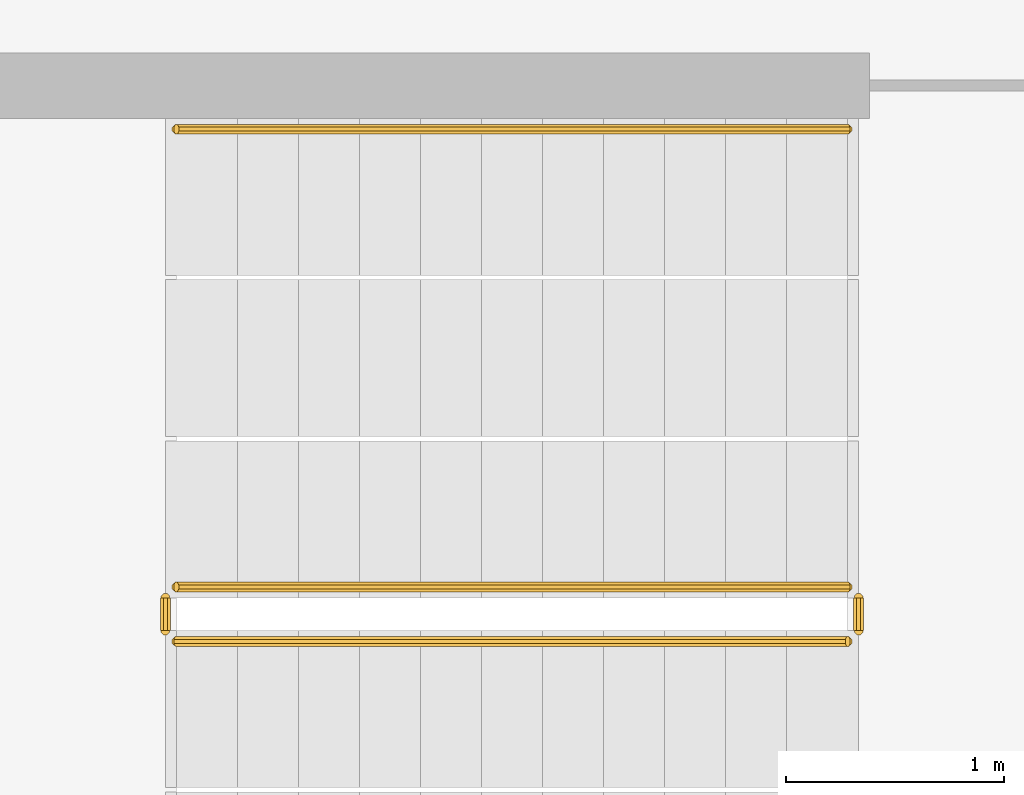
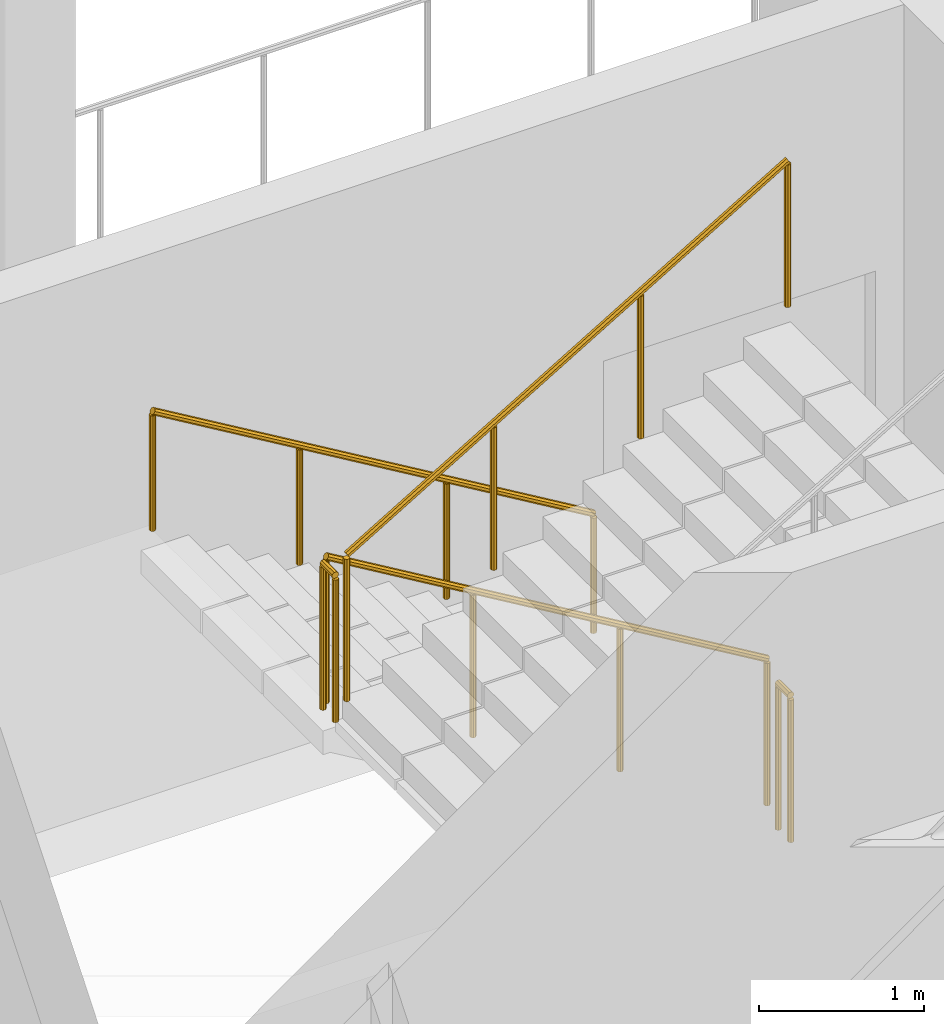
# One storey, part 20 of 28: 5 railings.
"""IFC4 building model written with IfcOpenShell, lengths in metres."""

import ifcopenshell
import ifcopenshell.guid

model = None  # the IFC model being written
_history = None  # IfcOwnerHistory: only IFC2X3 demands one
_inside = {}  # id of a spatial element -> (the spatial element, [elements in it])
_under = {}  # id of a project, library or spatial element -> (it, [spatial elements below it])
_declared = {}  # id of a project -> (the project, [libraries it declares])
_typed = {}  # id of a type object -> (the type object, [elements of that type])
_made_of = {}  # id of a material, layer set ... -> (it, [elements and type objects made of it])


def new_model(schema):
    """Start an empty IFC model of exactly this schema.

    Asked for "IFC4X3", IfcOpenShell would pick the latest addendum, in which some entities
    have other attributes; the version numbers below select the first issue.
    IFC2X3 requires an IfcOwnerHistory on every rooted entity: one is made here for all.
    """
    global model, _history
    if schema == "IFC4X3":
        model = ifcopenshell.file(schema_version=(4, 3, 0, 0))
    else:
        model = ifcopenshell.file(schema=schema)
    _inside.clear()
    _under.clear()
    _declared.clear()
    _typed.clear()
    _made_of.clear()
    _history = None
    if model.schema == "IFC2X3":
        org = make("IfcOrganization", Name="unknown")
        user = make(
            "IfcPersonAndOrganization",
            ThePerson=make("IfcPerson", FamilyName="unknown"),
            TheOrganization=org,
        )
        app = make(
            "IfcApplication",
            ApplicationDeveloper=org,
            Version="unknown",
            ApplicationFullName="unknown",
            ApplicationIdentifier="unknown",
        )
        _history = make(
            "IfcOwnerHistory",
            OwningUser=user,
            OwningApplication=app,
            ChangeAction="ADDED",
            CreationDate=0,
        )
    return model


def make(cls, **values):
    """One entity of the class cls with the attributes given. An attribute that is None is left unset."""
    return model.create_entity(
        cls, **{name: value for name, value in values.items() if value is not None}
    )


def rooted(cls, **values):
    """An entity with a GlobalId (a new one), such as an element, a storey or a relation."""
    return make(cls, GlobalId=ifcopenshell.guid.new(), OwnerHistory=_history, **values)


def si_unit(unit_type, name, prefix=None):
    """IfcSIUnit, for example si_unit("LENGTHUNIT", "METRE", prefix="MILLI")."""
    return make("IfcSIUnit", UnitType=unit_type, Prefix=prefix, Name=name)


def assignment(units):
    """IfcUnitAssignment: the units of a project."""
    return None if units is None else make("IfcUnitAssignment", Units=units)


def point(xyz):
    """IfcCartesianPoint."""
    return None if xyz is None else make("IfcCartesianPoint", Coordinates=xyz)


def direction(xyz):
    """IfcDirection."""
    return None if xyz is None else make("IfcDirection", DirectionRatios=xyz)


def frame(location, z_axis=None, x_axis=None):
    """IfcAxis2Placement3D, a coordinate frame: its origin and axes. An axis left out is left unset."""
    return make(
        "IfcAxis2Placement3D",
        Location=point(location),
        Axis=direction(z_axis),
        RefDirection=direction(x_axis),
    )


def origin():
    """The frame at (0, 0, 0) with its axes left unset."""
    return frame((0.0, 0.0, 0.0))


def place(relative_to, where):
    """IfcLocalPlacement: puts the frame where relative to a parent placement (None: the world)."""
    return make(
        "IfcLocalPlacement", PlacementRelTo=relative_to, RelativePlacement=where
    )


def context(
    kind, dimensions, precision=None, world=None, true_north=None, identifier=None
):
    """IfcGeometricRepresentationContext, for example the 3D "Model" context."""
    return make(
        "IfcGeometricRepresentationContext",
        ContextIdentifier=identifier,
        ContextType=kind,
        CoordinateSpaceDimension=dimensions,
        Precision=precision,
        WorldCoordinateSystem=world,
        TrueNorth=true_north,
    )


def subcontext(parent, identifier, kind, view, scale=None):
    """IfcGeometricRepresentationSubContext, for example "Body" below "Model"."""
    return make(
        "IfcGeometricRepresentationSubContext",
        ContextIdentifier=identifier,
        ContextType=kind,
        ParentContext=parent,
        TargetScale=scale,
        TargetView=view,
    )


def project(units=None, contexts=None):
    """IfcProject with its units and contexts."""
    return rooted(
        "IfcProject",
        Name="project",
        RepresentationContexts=contexts,
        UnitsInContext=assignment(units),
    )


def spatial(cls, under=None, at=None, **own):
    """A site, building, storey or space (cls), placed at a placement, below another one or the project."""
    s = rooted(cls, ObjectPlacement=at, **own)
    if under is not None:
        _under.setdefault(under.id(), (under, []))[1].append(s)
    return s


def polyline(points):
    """IfcPolyline through the points."""
    return make("IfcPolyline", Points=[point(p) for p in points])


def outline(outer, holes=None, kind="AREA"):
    """IfcArbitraryClosedProfileDef: a profile drawn as a closed curve; with holes, ...WithVoids."""
    if holes is None:
        return make("IfcArbitraryClosedProfileDef", ProfileType=kind, OuterCurve=outer)
    return make(
        "IfcArbitraryProfileDefWithVoids",
        ProfileType=kind,
        OuterCurve=outer,
        InnerCurves=holes,
    )


def extrude(swept, where, along, depth):
    """IfcExtrudedAreaSolid: the profile swept, set in the frame where, extruded along a direction by depth."""
    return make(
        "IfcExtrudedAreaSolid",
        SweptArea=swept,
        Position=where,
        ExtrudedDirection=direction(along),
        Depth=depth,
    )


def shape(context_of_items, identifier, shape_type, items):
    """IfcShapeRepresentation: the items that make up one representation, for example the "Body"."""
    return make(
        "IfcShapeRepresentation",
        ContextOfItems=context_of_items,
        RepresentationIdentifier=identifier,
        RepresentationType=shape_type,
        Items=items,
    )


def material(Name=None, Category=None):
    """IfcMaterial."""
    return make("IfcMaterial", Name=Name, Category=Category)


def made_of(thing, what):
    """Note that an element or type object is made of a material, layer set ...; save() writes the relation."""
    if what is not None:
        _made_of.setdefault(what.id(), (what, []))[1].append(thing)
    return thing


def type_object(cls, material=None, **own):
    """A type object (cls), such as IfcWallType, which elements share."""
    return made_of(rooted(cls, **own), material)


def element(
    cls,
    number,
    at=None,
    inside=None,
    cuts=None,
    type_object=None,
    material=None,
    context=None,
    identifier="Body",
    shape_type=None,
    held_by="IfcProductDefinitionShape",
    body=None,
    shapes=None,
    **own,
):
    """One element of the class cls, such as IfcWall. Its Tag is "e" and its number.

    at: its placement. inside: the storey or other place that contains it. cuts: it is an
    opening in that element (IfcRelVoidsElement). A single representation is given by context,
    identifier, shape_type and body (its items); several are given by shapes. held_by: the class
    of the entity that holds the representations. save() writes the other relations.
    """
    e = rooted(cls, Tag="e%d" % number, ObjectPlacement=at, **own)
    if body is not None:
        shapes = [shape(context, identifier, shape_type, body)]
    if shapes is not None:
        e.Representation = make(held_by, Representations=shapes)
    if inside is not None:
        _inside.setdefault(inside.id(), (inside, []))[1].append(e)
    if cuts is not None:
        rooted(
            "IfcRelVoidsElement", RelatingBuildingElement=cuts, RelatedOpeningElement=e
        )
    if type_object is not None:
        _typed.setdefault(type_object.id(), (type_object, []))[1].append(e)
    return made_of(e, material)


def aggregate(whole, parts):
    """IfcRelAggregates: a whole, such as a stair, and the parts it consists of."""
    return rooted("IfcRelAggregates", RelatingObject=whole, RelatedObjects=parts)


def save(model, path):
    """Write the relations noted so far, then the file.

    IfcRelAggregates (storeys below a building ...), IfcRelContainedInSpatialStructure (elements
    in a storey), IfcRelDefinesByType, IfcRelAssociatesMaterial and IfcRelDeclares: one each for
    every whole, place, type object, material and project.
    """
    for whole, parts in _under.values():
        aggregate(whole, parts)
    for where, things in _inside.values():
        rooted(
            "IfcRelContainedInSpatialStructure",
            RelatedElements=things,
            RelatingStructure=where,
        )
    for kind, things in _typed.values():
        rooted("IfcRelDefinesByType", RelatedObjects=things, RelatingType=kind)
    for what, things in _made_of.values():
        rooted("IfcRelAssociatesMaterial", RelatedObjects=things, RelatingMaterial=what)
    for by, libraries in _declared.values():
        rooted("IfcRelDeclares", RelatingContext=by, RelatedDefinitions=libraries)
    model.write(path)


model = new_model("IFC4")

# Units and contexts
model_context = context("Model", 3, precision=1e-05, world=origin(), true_north=direction((0.0, 1.0)))
body_context = subcontext(model_context, "Body", "Model", "MODEL_VIEW")
ifc_project = project(units=[si_unit("LENGTHUNIT", "METRE"), si_unit("AREAUNIT", "SQUARE_METRE"), si_unit("VOLUMEUNIT", "CUBIC_METRE"), si_unit("PLANEANGLEUNIT", "RADIAN"), si_unit("MASSUNIT", "GRAM", prefix="KILO")], contexts=[model_context])

# Site, building, storey
site_placement = place(None, origin())
site = spatial("IfcSite", under=ifc_project, at=site_placement, CompositionType="ELEMENT")
building_placement = place(site_placement, origin())
building = spatial("IfcBuilding", under=site, at=building_placement, Name="Cormorant Relay Tower", CompositionType="ELEMENT")
storey_placement = place(building_placement, frame((0.0, 0.0, 134.199951171875)))
storey = spatial("IfcBuildingStorey", under=building, at=storey_placement, Name="L27", CompositionType="ELEMENT", Elevation=134.199951171875)

# Railings
ifc_material_1 = material(Name="Steel ASTM A572 Grade 50 (Fy 345 MPa)", Category="steel")
railing_type_1 = type_object("IfcRailingType", Name="Stair guard 1100", PredefinedType="GUARDRAIL", material=ifc_material_1)
railing_1_placement = place(storey_placement, frame((1.60009765625, -18.27490234375, 0.166748046875)))
element("IfcRailing", 1, at=railing_1_placement, inside=storey, type_object=railing_type_1, Name="L27 RK1 stair guard 1", PredefinedType="GUARDRAIL", context=body_context, shape_type="SweptSolid", body=[
    extrude(outline(polyline([(0.022216796875, 0.00927734375), (0.00927734375, 0.022216796875), (-0.00927734375, 0.022216796875), (-0.022216796875, 0.00927734375), (-0.022216796875, -0.00927734375), (-0.00927734375, -0.022216796875), (0.00927734375, -0.022216796875), (0.022216796875, -0.00927734375), (0.022216796875, 0.00927734375)])), frame((0.0, 0.0, 1.076171875), z_axis=(-0.859308565015, 0.0, 0.511457515432), x_axis=(0.0, -1.0, 0.0)), (0.0, 0.0, 1.0), 3.58447265625),
    extrude(outline(polyline([(0.019287109375, 0.008056640625), (0.008056640625, 0.019287109375), (-0.008056640625, 0.019287109375), (-0.019287109375, 0.008056640625), (-0.019287109375, -0.008056640625), (-0.008056640625, -0.019287109375), (0.008056640625, -0.019287109375), (0.019287109375, -0.008056640625), (0.019287109375, 0.008056640625)])), origin(), (0.0, 0.0, 1.0), 1.052001953125),
    extrude(outline(polyline([(0.019287109375, 0.008056640625), (0.008056640625, 0.019287109375), (-0.008056640625, 0.019287109375), (-0.019287109375, 0.008056640625), (-0.019287109375, -0.008056640625), (-0.008056640625, -0.019287109375), (0.008056640625, -0.019287109375), (0.019287109375, -0.008056640625), (0.019287109375, 0.008056640625)])), frame((-1.026611328125, 0.0, 0.611083984375)), (0.0, 0.0, 1.0), 1.052001953125),
    extrude(outline(polyline([(0.019287109375, 0.008056640625), (0.008056640625, 0.019287109375), (-0.008056640625, 0.019287109375), (-0.019287109375, 0.008056640625), (-0.019287109375, -0.008056640625), (-0.008056640625, -0.019287109375), (0.008056640625, -0.019287109375), (0.019287109375, -0.008056640625), (0.019287109375, 0.008056640625)])), frame((-2.053466796875, 0.0, 1.22216796875)), (0.0, 0.0, 1.0), 1.052001953125),
    extrude(outline(polyline([(0.019287109375, 0.008056640625), (0.008056640625, 0.019287109375), (-0.008056640625, 0.019287109375), (-0.019287109375, 0.008056640625), (-0.019287109375, -0.008056640625), (-0.008056640625, -0.019287109375), (0.008056640625, -0.019287109375), (0.019287109375, -0.008056640625), (0.019287109375, 0.008056640625)])), frame((-3.080078125, 0.0, 1.833251953125)), (0.0, 0.0, 1.0), 1.052001953125),
])
railing_2_placement = place(storey_placement, frame((-1.530029296875, -18.324951171875, 2.0)))
element("IfcRailing", 2, at=railing_2_placement, inside=storey, type_object=railing_type_1, Name="L27 RK1 stair guard 2", PredefinedType="GUARDRAIL", context=body_context, shape_type="SweptSolid", body=[
    extrude(outline(polyline([(0.022216796875, 0.00927734375), (0.00927734375, 0.022216796875), (-0.00927734375, 0.022216796875), (-0.022216796875, 0.00927734375), (-0.022216796875, -0.00927734375), (-0.00927734375, -0.022216796875), (0.00927734375, -0.022216796875), (0.022216796875, -0.00927734375), (0.022216796875, 0.00927734375)])), frame((0.0, 0.0, 1.076171875), z_axis=(0.0, -1.0, 0.0), x_axis=(1.0, 0.0, 0.0)), (0.0, 0.0, 1.0), 0.150146484375),
    extrude(outline(polyline([(0.019287109375, 0.008056640625), (0.008056640625, 0.019287109375), (-0.008056640625, 0.019287109375), (-0.019287109375, 0.008056640625), (-0.019287109375, -0.008056640625), (-0.008056640625, -0.019287109375), (0.008056640625, -0.019287109375), (0.019287109375, -0.008056640625), (0.019287109375, 0.008056640625)])), origin(), (0.0, 0.0, 1.0), 1.052001953125),
    extrude(outline(polyline([(0.019287109375, 0.008056640625), (0.008056640625, 0.019287109375), (-0.008056640625, 0.019287109375), (-0.019287109375, 0.008056640625), (-0.019287109375, -0.008056640625), (-0.008056640625, -0.019287109375), (0.008056640625, -0.019287109375), (0.019287109375, -0.008056640625), (0.019287109375, 0.008056640625)])), frame((0.0, -0.150146484375, 0.0)), (0.0, 0.0, 1.0), 1.052001953125),
])
railing_3_placement = place(storey_placement, frame((-1.47998046875, -18.52490234375, 2.166748046875)))
element("IfcRailing", 3, at=railing_3_placement, inside=storey, type_object=railing_type_1, Name="L27 RK1 stair guard 3", PredefinedType="GUARDRAIL", context=body_context, shape_type="SweptSolid", body=[
    extrude(outline(polyline([(0.022216796875, 0.00927734375), (0.00927734375, 0.022216796875), (-0.00927734375, 0.022216796875), (-0.022216796875, 0.00927734375), (-0.022216796875, -0.00927734375), (-0.00927734375, -0.022216796875), (0.00927734375, -0.022216796875), (0.022216796875, -0.00927734375), (0.022216796875, 0.00927734375)])), frame((0.0, 0.0, 1.076171875), z_axis=(0.859308565015, 0.0, 0.511457515432), x_axis=(0.0, 1.0, 0.0)), (0.0, 0.0, 1.0), 3.58447265625),
    extrude(outline(polyline([(0.019287109375, 0.008056640625), (0.008056640625, 0.019287109375), (-0.008056640625, 0.019287109375), (-0.019287109375, 0.008056640625), (-0.019287109375, -0.008056640625), (-0.008056640625, -0.019287109375), (0.008056640625, -0.019287109375), (0.019287109375, -0.008056640625), (0.019287109375, 0.008056640625)])), origin(), (0.0, 0.0, 1.0), 1.052001953125),
    extrude(outline(polyline([(0.019287109375, 0.008056640625), (0.008056640625, 0.019287109375), (-0.008056640625, 0.019287109375), (-0.019287109375, 0.008056640625), (-0.019287109375, -0.008056640625), (-0.008056640625, -0.019287109375), (0.008056640625, -0.019287109375), (0.019287109375, -0.008056640625), (0.019287109375, 0.008056640625)])), frame((1.026611328125, 0.0, 0.611083984375)), (0.0, 0.0, 1.0), 1.052001953125),
    extrude(outline(polyline([(0.019287109375, 0.008056640625), (0.008056640625, 0.019287109375), (-0.008056640625, 0.019287109375), (-0.019287109375, 0.008056640625), (-0.019287109375, -0.008056640625), (-0.008056640625, -0.019287109375), (0.008056640625, -0.019287109375), (0.019287109375, -0.008056640625), (0.019287109375, 0.008056640625)])), frame((2.053466796875, 0.0, 1.22216796875)), (0.0, 0.0, 1.0), 1.052001953125),
    extrude(outline(polyline([(0.019287109375, 0.008056640625), (0.008056640625, 0.019287109375), (-0.008056640625, 0.019287109375), (-0.019287109375, 0.008056640625), (-0.019287109375, -0.008056640625), (-0.008056640625, -0.019287109375), (0.008056640625, -0.019287109375), (0.019287109375, -0.008056640625), (0.019287109375, 0.008056640625)])), frame((3.080078125, 0.0, 1.833251953125)), (0.0, 0.0, 1.0), 1.052001953125),
])
railing_4_placement = place(storey_placement, frame((1.64990234375, -18.324951171875, 0.0)))
element("IfcRailing", 4, at=railing_4_placement, inside=storey, type_object=railing_type_1, Name="L27 RK1 stair guard 4", PredefinedType="GUARDRAIL", context=body_context, shape_type="SweptSolid", body=[
    extrude(outline(polyline([(0.022216796875, 0.00927734375), (0.00927734375, 0.022216796875), (-0.00927734375, 0.022216796875), (-0.022216796875, 0.00927734375), (-0.022216796875, -0.00927734375), (-0.00927734375, -0.022216796875), (0.00927734375, -0.022216796875), (0.022216796875, -0.00927734375), (0.022216796875, 0.00927734375)])), frame((0.0, 0.0, 1.076171875), z_axis=(0.0, -1.0, 0.0), x_axis=(1.0, 0.0, 0.0)), (0.0, 0.0, 1.0), 0.150146484375),
    extrude(outline(polyline([(0.019287109375, 0.008056640625), (0.008056640625, 0.019287109375), (-0.008056640625, 0.019287109375), (-0.019287109375, 0.008056640625), (-0.019287109375, -0.008056640625), (-0.008056640625, -0.019287109375), (0.008056640625, -0.019287109375), (0.019287109375, -0.008056640625), (0.019287109375, 0.008056640625)])), origin(), (0.0, 0.0, 1.0), 1.052001953125),
    extrude(outline(polyline([(0.019287109375, 0.008056640625), (0.008056640625, 0.019287109375), (-0.008056640625, 0.019287109375), (-0.019287109375, 0.008056640625), (-0.019287109375, -0.008056640625), (-0.008056640625, -0.019287109375), (0.008056640625, -0.019287109375), (0.019287109375, -0.008056640625), (0.019287109375, 0.008056640625)])), frame((0.0, -0.150146484375, 0.0)), (0.0, 0.0, 1.0), 1.052001953125),
])
ifc_material_2 = material(Name="Steel ASTM A572 Grade 50 (Fy 345 MPa)", Category="steel")
railing_type_2 = type_object("IfcRailingType", Name="Stair handrail 900", PredefinedType="HANDRAIL", material=ifc_material_2)
railing_5_placement = place(storey_placement, frame((1.60009765625, -16.175048828125, 0.166748046875)))
element("IfcRailing", 5, at=railing_5_placement, inside=storey, type_object=railing_type_2, Name="L27 RK1 stair handrail 1", PredefinedType="HANDRAIL", context=body_context, shape_type="SweptSolid", body=[
    extrude(outline(polyline([(0.022216796875, 0.00927734375), (0.00927734375, 0.022216796875), (-0.00927734375, 0.022216796875), (-0.022216796875, 0.00927734375), (-0.022216796875, -0.00927734375), (-0.00927734375, -0.022216796875), (0.00927734375, -0.022216796875), (0.022216796875, -0.00927734375), (0.022216796875, 0.00927734375)])), frame((0.0, 0.0, 0.8759765625), z_axis=(-0.859308565015, 0.0, 0.511457515432), x_axis=(0.0, -1.0, 0.0)), (0.0, 0.0, 1.0), 3.58447265625),
    extrude(outline(polyline([(0.019287109375, 0.008056640625), (0.008056640625, 0.019287109375), (-0.008056640625, 0.019287109375), (-0.019287109375, 0.008056640625), (-0.019287109375, -0.008056640625), (-0.008056640625, -0.019287109375), (0.008056640625, -0.019287109375), (0.019287109375, -0.008056640625), (0.019287109375, 0.008056640625)])), origin(), (0.0, 0.0, 1.0), 0.851806640625),
    extrude(outline(polyline([(0.019287109375, 0.008056640625), (0.008056640625, 0.019287109375), (-0.008056640625, 0.019287109375), (-0.019287109375, 0.008056640625), (-0.019287109375, -0.008056640625), (-0.008056640625, -0.019287109375), (0.008056640625, -0.019287109375), (0.019287109375, -0.008056640625), (0.019287109375, 0.008056640625)])), frame((-1.026611328125, 0.0, 0.611083984375)), (0.0, 0.0, 1.0), 0.851806640625),
    extrude(outline(polyline([(0.019287109375, 0.008056640625), (0.008056640625, 0.019287109375), (-0.008056640625, 0.019287109375), (-0.019287109375, 0.008056640625), (-0.019287109375, -0.008056640625), (-0.008056640625, -0.019287109375), (0.008056640625, -0.019287109375), (0.019287109375, -0.008056640625), (0.019287109375, 0.008056640625)])), frame((-2.053466796875, 0.0, 1.22216796875)), (0.0, 0.0, 1.0), 0.851806640625),
    extrude(outline(polyline([(0.019287109375, 0.008056640625), (0.008056640625, 0.019287109375), (-0.008056640625, 0.019287109375), (-0.019287109375, 0.008056640625), (-0.019287109375, -0.008056640625), (-0.008056640625, -0.019287109375), (0.008056640625, -0.019287109375), (0.019287109375, -0.008056640625), (0.019287109375, 0.008056640625)])), frame((-3.080078125, 0.0, 1.833251953125)), (0.0, 0.0, 1.0), 0.851806640625),
])

save(model, "model.ifc")
